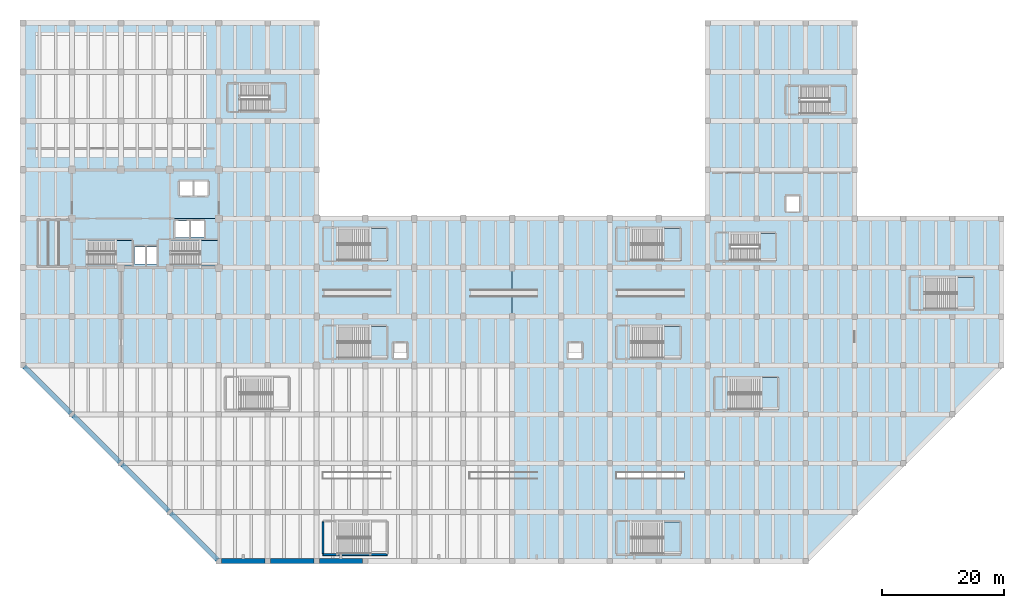
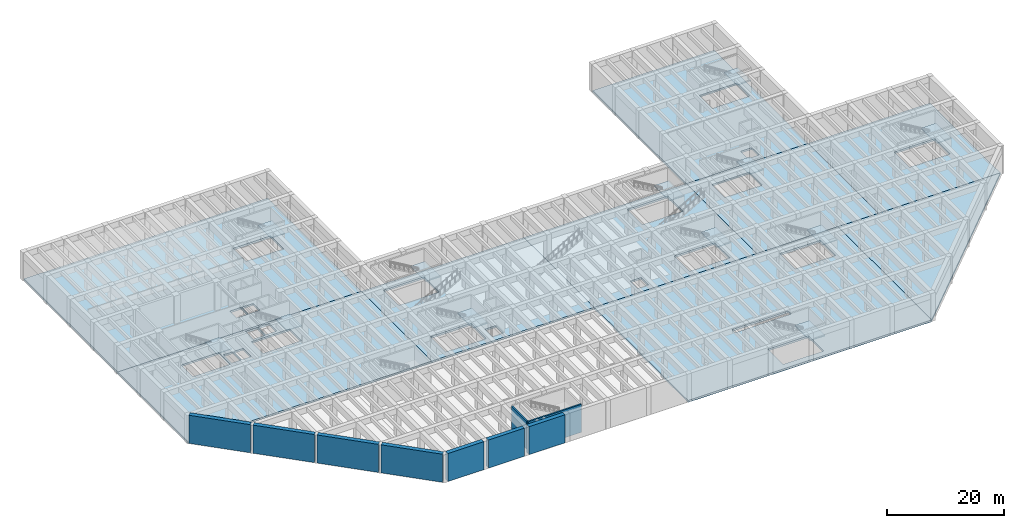
# One storey, part 6 of 24: 21 slabs, 9 walls, 12 elements without a shape of their own.
"""IFC4 building model written with IfcOpenShell, lengths in metres."""

from ifc_helpers import new_model, si_unit, direction, frame, frame_2d, origin, place, context, subcontext, project, spatial, polyline, rectangle, outline, extrude, material, layer, layer_set, type_object, element, aggregate, save


model = new_model("IFC4")

# Units and contexts
model_context = context("Model", 3, precision=1e-05, world=origin(), true_north=direction((0.0, 1.0)))
body_context = subcontext(model_context, "Body", "Model", "MODEL_VIEW")
ifc_project = project(units=[si_unit("LENGTHUNIT", "METRE"), si_unit("AREAUNIT", "SQUARE_METRE"), si_unit("VOLUMEUNIT", "CUBIC_METRE"), si_unit("PLANEANGLEUNIT", "RADIAN"), si_unit("MASSUNIT", "GRAM", prefix="KILO")], contexts=[model_context])

# Site, building, storey
site_placement = place(None, origin())
site = spatial("IfcSite", under=ifc_project, at=site_placement, CompositionType="ELEMENT")
building_placement = place(site_placement, origin())
building = spatial("IfcBuilding", under=site, at=building_placement, Name="Varnela Railside Interchange", CompositionType="ELEMENT")
storey_placement = place(building_placement, frame((0.0, 0.0, -6.300048828125)))
storey = spatial("IfcBuildingStorey", under=building, at=storey_placement, Name="B1", CompositionType="ELEMENT", Elevation=-6.300048828125)

# Stair, slab
ifc_material_1 = material(Name="Concrete C40", Category="concrete")
stair_type_1 = type_object("IfcStairType", Name="Core Pressurized Stair ST-165", PredefinedType="TWO_STRAIGHT_RUN_STAIR", material=ifc_material_1)
stair_1_placement = place(storey_placement, origin())
stair_1 = element("IfcStair", 1, at=stair_1_placement, inside=storey, type_object=stair_type_1, Name="Stair ST-T1 (B1) (SF-076)", PredefinedType="TWO_STRAIGHT_RUN_STAIR")
ifc_layer_1 = layer(ifc_material_1, 0.159912109375)
ifc_layer_set_1 = layer_set([ifc_layer_1], Name="Concrete C40")
slab_type_1 = type_object("IfcSlabType", Name="Stair Half-Landing Slab SL-LD", PredefinedType="LANDING", material=ifc_layer_set_1)
slab_1_placement = place(storey_placement, frame((0.0, 0.0, 2.989990234375)))
slab_1 = element("IfcSlab", 2, at=slab_1_placement, type_object=slab_type_1, Name="ST-T1 landing 1 (SL-0050)", PredefinedType="LANDING", context=body_context, shape_type="SweptSolid", body=[
    extrude(outline(polyline([(19.1298828125, 54.39990234375), (22.06005859375, 54.39990234375), (22.06005859375, 58.39990234375), (19.1298828125, 58.39990234375), (19.1298828125, 54.39990234375)])), origin(), (0.0, 0.0, 1.0), 0.16015625),
])
aggregate(stair_1, [slab_1])

stair_2_placement = place(storey_placement, origin())
stair_2 = element("IfcStair", 3, at=stair_2_placement, inside=storey, type_object=stair_type_1, Name="Stair ST-T2 (B1) (SF-079)", PredefinedType="TWO_STRAIGHT_RUN_STAIR")
slab_2_placement = place(storey_placement, frame((0.0, 0.0, 2.989990234375)))
slab_2 = element("IfcSlab", 4, at=slab_2_placement, type_object=slab_type_1, Name="ST-T2 landing 1 (SL-0051)", PredefinedType="LANDING", context=body_context, shape_type="SweptSolid", body=[
    extrude(outline(polyline([(32.929931640625, 54.39990234375), (35.860107421875, 54.39990234375), (35.860107421875, 58.39990234375), (32.929931640625, 58.39990234375), (32.929931640625, 54.39990234375)])), origin(), (0.0, 0.0, 1.0), 0.16015625),
])
aggregate(stair_2, [slab_2])

stair_type_2 = type_object("IfcStairType", Name="Study Pavilion Stair ST-180", PredefinedType="TWO_STRAIGHT_RUN_STAIR", material=ifc_material_1)
stair_3_placement = place(storey_placement, origin())
stair_3 = element("IfcStair", 5, at=stair_3_placement, inside=storey, type_object=stair_type_2, Name="Stair ST-E1 (B1) (SF-055)", PredefinedType="TWO_STRAIGHT_RUN_STAIR")
slab_3_placement = place(storey_placement, frame((0.0, 0.0, 2.989990234375)))
slab_3 = element("IfcSlab", 6, at=slab_3_placement, type_object=slab_type_1, Name="ST-E1 landing 1 (SL-0043)", PredefinedType="LANDING", context=body_context, shape_type="SweptSolid", body=[
    extrude(outline(polyline([(124.5, 55.199951171875), (127.260009765625, 55.199951171875), (127.260009765625, 59.60009765625), (124.5, 59.60009765625), (124.5, 55.199951171875)])), origin(), (0.0, 0.0, 1.0), 0.16015625),
])
aggregate(stair_3, [slab_3])

stair_4_placement = place(storey_placement, origin())
stair_4 = element("IfcStair", 7, at=stair_4_placement, inside=storey, type_object=stair_type_2, Name="Stair ST-E2 (B1) (SF-058)", PredefinedType="TWO_STRAIGHT_RUN_STAIR")
slab_4_placement = place(storey_placement, frame((0.0, 0.0, 2.989990234375)))
slab_4 = element("IfcSlab", 8, at=slab_4_placement, type_object=slab_type_1, Name="ST-E2 landing 1 (SL-0044)", PredefinedType="LANDING", context=body_context, shape_type="SweptSolid", body=[
    extrude(outline(polyline([(135.89990234375, 79.199951171875), (138.659912109375, 79.199951171875), (138.659912109375, 83.60009765625), (135.89990234375, 83.60009765625), (135.89990234375, 79.199951171875)])), origin(), (0.0, 0.0, 1.0), 0.16015625),
])
aggregate(stair_4, [slab_4])

stair_type_3 = type_object("IfcStairType", Name="Concourse Public Stair ST-235", PredefinedType="TWO_STRAIGHT_RUN_STAIR", material=ifc_material_1)
stair_5_placement = place(storey_placement, origin())
stair_5 = element("IfcStair", 9, at=stair_5_placement, inside=storey, type_object=stair_type_3, Name="Stair ST-E3 (B1) (SF-061)", PredefinedType="TWO_STRAIGHT_RUN_STAIR")
slab_5_placement = place(storey_placement, frame((0.0, 0.0, 2.989990234375)))
slab_5 = element("IfcSlab", 10, at=slab_5_placement, type_object=slab_type_1, Name="ST-E3 landing 1 (SL-0045)", PredefinedType="LANDING", context=body_context, shape_type="SweptSolid", body=[
    extrude(outline(polyline([(156.72509765625, 47.199951171875), (159.659912109375, 47.199951171875), (159.659912109375, 52.39990234375), (156.72509765625, 52.39990234375), (156.72509765625, 47.199951171875)])), origin(), (0.0, 0.0, 1.0), 0.16015625),
])
aggregate(stair_5, [slab_5])

stair_6_placement = place(storey_placement, origin())
stair_6 = element("IfcStair", 11, at=stair_6_placement, inside=storey, type_object=stair_type_3, Name="Stair ST-C1 (B1) (SF-043)", PredefinedType="TWO_STRAIGHT_RUN_STAIR")
slab_6_placement = place(storey_placement, frame((0.0, 0.0, 2.989990234375)))
slab_6 = element("IfcSlab", 12, at=slab_6_placement, type_object=slab_type_1, Name="ST-C1 landing 1 (SL-0039)", PredefinedType="LANDING", context=body_context, shape_type="SweptSolid", body=[
    extrude(outline(polyline([(60.72509765625, 39.199951171875), (63.659912109375, 39.199951171875), (63.659912109375, 44.39990234375), (60.72509765625, 44.39990234375), (60.72509765625, 39.199951171875)])), origin(), (0.0, 0.0, 1.0), 0.16015625),
])
aggregate(stair_6, [slab_6])

stair_7_placement = place(storey_placement, origin())
stair_7 = element("IfcStair", 13, at=stair_7_placement, inside=storey, type_object=stair_type_3, Name="Stair ST-C2 (B1) (SF-046)", PredefinedType="TWO_STRAIGHT_RUN_STAIR")
slab_7_placement = place(storey_placement, frame((0.0, 0.0, 2.989990234375)))
slab_7 = element("IfcSlab", 14, at=slab_7_placement, type_object=slab_type_1, Name="ST-C2 landing 1 (SL-0040)", PredefinedType="LANDING", context=body_context, shape_type="SweptSolid", body=[
    extrude(outline(polyline([(108.72509765625, 39.199951171875), (111.659912109375, 39.199951171875), (111.659912109375, 44.39990234375), (108.72509765625, 44.39990234375), (108.72509765625, 39.199951171875)])), origin(), (0.0, 0.0, 1.0), 0.16015625),
])
aggregate(stair_7, [slab_7])

stair_8_placement = place(storey_placement, origin())
stair_8 = element("IfcStair", 15, at=stair_8_placement, inside=storey, type_object=stair_type_3, Name="Stair ST-C3 (B1) (SF-049)", PredefinedType="TWO_STRAIGHT_RUN_STAIR")
slab_8_placement = place(storey_placement, frame((0.0, 0.0, 2.989990234375)))
slab_8 = element("IfcSlab", 16, at=slab_8_placement, type_object=slab_type_1, Name="ST-C3 landing 1 (SL-0041)", PredefinedType="LANDING", context=body_context, shape_type="SweptSolid", body=[
    extrude(outline(polyline([(60.72509765625, 55.199951171875), (63.659912109375, 55.199951171875), (63.659912109375, 60.39990234375), (60.72509765625, 60.39990234375), (60.72509765625, 55.199951171875)])), origin(), (0.0, 0.0, 1.0), 0.16015625),
])
aggregate(stair_8, [slab_8])

stair_9_placement = place(storey_placement, origin())
stair_9 = element("IfcStair", 17, at=stair_9_placement, inside=storey, type_object=stair_type_3, Name="Stair ST-C4 (B1) (SF-052)", PredefinedType="TWO_STRAIGHT_RUN_STAIR")
slab_9_placement = place(storey_placement, frame((0.0, 0.0, 2.989990234375)))
slab_9 = element("IfcSlab", 18, at=slab_9_placement, type_object=slab_type_1, Name="ST-C4 landing 1 (SL-0042)", PredefinedType="LANDING", context=body_context, shape_type="SweptSolid", body=[
    extrude(outline(polyline([(108.72509765625, 55.199951171875), (111.659912109375, 55.199951171875), (111.659912109375, 60.39990234375), (108.72509765625, 60.39990234375), (108.72509765625, 55.199951171875)])), origin(), (0.0, 0.0, 1.0), 0.16015625),
])
aggregate(stair_9, [slab_9])

stair_10_placement = place(storey_placement, origin())
stair_10 = element("IfcStair", 19, at=stair_10_placement, inside=storey, type_object=stair_type_3, Name="Stair ST-M2 (B1) (SF-067)", PredefinedType="TWO_STRAIGHT_RUN_STAIR")
slab_10_placement = place(storey_placement, frame((0.0, 0.0, 2.989990234375)))
slab_10 = element("IfcSlab", 20, at=slab_10_placement, type_object=slab_type_1, Name="ST-M2 landing 1 (SL-0047)", PredefinedType="LANDING", context=body_context, shape_type="SweptSolid", body=[
    extrude(outline(polyline([(124.72509765625, 30.800048828125), (127.659912109375, 30.800048828125), (127.659912109375, 36.0), (124.72509765625, 36.0), (124.72509765625, 30.800048828125)])), origin(), (0.0, 0.0, 1.0), 0.16015625),
])
aggregate(stair_10, [slab_10])

stair_11_placement = place(storey_placement, origin())
stair_11 = element("IfcStair", 21, at=stair_11_placement, inside=storey, type_object=stair_type_3, Name="Stair ST-M4 (B1) (SF-073)", PredefinedType="TWO_STRAIGHT_RUN_STAIR")
slab_11_placement = place(storey_placement, frame((0.0, 0.0, 2.989990234375)))
slab_11 = element("IfcSlab", 22, at=slab_11_placement, type_object=slab_type_1, Name="ST-M4 landing 1 (SL-0049)", PredefinedType="LANDING", context=body_context, shape_type="SweptSolid", body=[
    extrude(outline(polyline([(108.72509765625, 7.199951171875), (111.659912109375, 7.199951171875), (111.659912109375, 12.39990234375), (108.72509765625, 12.39990234375), (108.72509765625, 7.199951171875)])), origin(), (0.0, 0.0, 1.0), 0.16015625),
])
aggregate(stair_11, [slab_11])

stair_12_placement = place(storey_placement, origin())
stair_12 = element("IfcStair", 23, at=stair_12_placement, inside=storey, type_object=stair_type_2, Name="Stair ST-W1 (B1) (SF-082)", PredefinedType="TWO_STRAIGHT_RUN_STAIR")
slab_12_placement = place(storey_placement, frame((0.0, 0.0, 2.989990234375)))
slab_12 = element("IfcSlab", 24, at=slab_12_placement, type_object=slab_type_1, Name="ST-W1 landing 1 (SL-0052)", PredefinedType="LANDING", context=body_context, shape_type="SweptSolid", body=[
    extrude(outline(polyline([(44.300048828125, 79.60009765625), (47.06005859375, 79.60009765625), (47.06005859375, 84.0), (44.300048828125, 84.0), (44.300048828125, 79.60009765625)])), origin(), (0.0, 0.0, 1.0), 0.16015625),
])
aggregate(stair_12, [slab_12])

# Slabs
ifc_layer_2 = layer(ifc_material_1, 0.39990234375)
ifc_layer_set_2 = layer_set([ifc_layer_2], Name="Concrete C40")
slab_type_2 = type_object("IfcSlabType", Name="Ticket Concourse Slab SL-B1", PredefinedType="FLOOR", material=ifc_layer_set_2)
slab_13_placement = place(storey_placement, frame((0.0, 0.0, -0.39990234375)))
element("IfcSlab", 25, at=slab_13_placement, inside=storey, type_object=slab_type_2, Name="Ticket Concourse Slab SL-B1 (B1) (SL-0035)", PredefinedType="FLOOR", context=body_context, shape_type="SweptSolid", body=[
    extrude(outline(polyline([(84.0, 6.0), (132.0, 6.0), (132.0, 38.0), (84.0, 38.0), (84.0, 6.0)]), holes=[polyline([(119.429931640625, 30.800048828125), (127.39990234375, 30.800048828125), (127.39990234375, 36.0), (119.429931640625, 36.0), (119.429931640625, 30.800048828125)]), polyline([(103.429931640625, 7.199951171875), (111.39990234375, 7.199951171875), (111.39990234375, 12.39990234375), (103.429931640625, 12.39990234375), (103.429931640625, 7.199951171875)]), polyline([(101.050048828125, 19.47998046875), (112.080078125, 19.47998046875), (112.080078125, 20.52001953125), (101.050048828125, 20.52001953125), (101.050048828125, 19.47998046875)])]), origin(), (0.0, 0.0, 1.0), 0.39990234375),
])
slab_14_placement = place(storey_placement, frame((0.0, 0.0, -0.39990234375)))
element("IfcSlab", 26, at=slab_14_placement, inside=storey, type_object=slab_type_2, Name="Ticket Concourse Slab SL-B1 (B1) (SL-0036)", PredefinedType="FLOOR", context=body_context, shape_type="SweptSolid", body=[
    extrude(outline(polyline([(132.0, 6.0), (164.0, 38.0), (132.0, 38.0), (132.0, 6.0)])), origin(), (0.0, 0.0, 1.0), 0.39990234375),
])
slab_15_placement = place(storey_placement, frame((0.0, 0.0, -0.39990234375)))
element("IfcSlab", 27, at=slab_15_placement, inside=storey, type_object=slab_type_2, Name="Ticket Concourse Slab SL-B1 (B1) (SL-0028)", PredefinedType="FLOOR", context=body_context, shape_type="SweptSolid", body=[
    extrude(outline(polyline([(52.0, 38.0), (84.0, 38.0), (84.0, 62.0), (52.0, 62.0), (52.0, 38.0)]), holes=[polyline([(55.429931640625, 39.199951171875), (63.39990234375, 39.199951171875), (63.39990234375, 44.39990234375), (55.429931640625, 44.39990234375), (55.429931640625, 39.199951171875)]), polyline([(55.429931640625, 55.199951171875), (63.39990234375, 55.199951171875), (63.39990234375, 60.39990234375), (55.429931640625, 60.39990234375), (55.429931640625, 55.199951171875)]), polyline([(64.60009765625, 39.199951171875), (66.800048828125, 39.199951171875), (66.800048828125, 41.699951171875), (64.60009765625, 41.699951171875), (64.60009765625, 39.199951171875)])]), origin(), (0.0, 0.0, 1.0), 0.39990234375),
])
slab_16_placement = place(storey_placement, frame((0.0, 0.0, -0.39990234375)))
element("IfcSlab", 28, at=slab_16_placement, inside=storey, type_object=slab_type_2, Name="Ticket Concourse Slab SL-B1 (B1) (SL-0029)", PredefinedType="FLOOR", context=body_context, shape_type="SweptSolid", body=[
    extrude(outline(polyline([(84.0, 38.0), (116.0, 38.0), (116.0, 62.0), (84.0, 62.0), (84.0, 38.0)]), holes=[polyline([(103.429931640625, 39.199951171875), (111.39990234375, 39.199951171875), (111.39990234375, 44.39990234375), (103.429931640625, 44.39990234375), (103.429931640625, 39.199951171875)]), polyline([(103.429931640625, 55.199951171875), (111.39990234375, 55.199951171875), (111.39990234375, 60.39990234375), (103.429931640625, 60.39990234375), (103.429931640625, 55.199951171875)]), polyline([(93.199951171875, 39.199951171875), (95.39990234375, 39.199951171875), (95.39990234375, 41.699951171875), (93.199951171875, 41.699951171875), (93.199951171875, 39.199951171875)])]), origin(), (0.0, 0.0, 1.0), 0.39990234375),
])
slab_17_placement = place(storey_placement, frame((0.0, 0.0, -0.39990234375)))
element("IfcSlab", 29, at=slab_17_placement, inside=storey, type_object=slab_type_2, Name="Ticket Concourse Slab SL-B1 (B1) (SL-0030)", PredefinedType="FLOOR", context=body_context, shape_type="SweptSolid", body=[
    extrude(outline(polyline([(140.0, 38.0), (164.0, 38.0), (164.0, 62.0), (140.0, 62.0), (140.0, 38.0)]), holes=[polyline([(151.429931640625, 47.199951171875), (159.39990234375, 47.199951171875), (159.39990234375, 52.39990234375), (151.429931640625, 52.39990234375), (151.429931640625, 47.199951171875)])]), origin(), (0.0, 0.0, 1.0), 0.39990234375),
])
slab_18_placement = place(storey_placement, frame((0.0, 0.0, -0.39990234375)))
element("IfcSlab", 30, at=slab_18_placement, inside=storey, type_object=slab_type_2, Name="Ticket Concourse Slab SL-B1 (B1) (SL-0031)", PredefinedType="FLOOR", context=body_context, shape_type="SweptSolid", body=[
    extrude(outline(polyline([(116.0, 38.0), (140.0, 38.0), (140.0, 62.0), (116.0, 62.0), (116.0, 38.0)]), holes=[polyline([(119.6298828125, 55.199951171875), (127.0, 55.199951171875), (127.0, 59.60009765625), (119.6298828125, 59.60009765625), (119.6298828125, 55.199951171875)])]), origin(), (0.0, 0.0, 1.0), 0.39990234375),
])
slab_19_placement = place(storey_placement, frame((0.0, 0.0, -0.39990234375)))
element("IfcSlab", 31, at=slab_19_placement, inside=storey, type_object=slab_type_2, Name="Ticket Concourse Slab SL-B1 (B1) (SL-0032)", PredefinedType="FLOOR", context=body_context, shape_type="SweptSolid", body=[
    extrude(outline(polyline([(116.0, 62.0), (140.0, 62.0), (140.0, 94.0), (116.0, 94.0), (116.0, 62.0)]), holes=[polyline([(131.030029296875, 79.199951171875), (138.39990234375, 79.199951171875), (138.39990234375, 83.60009765625), (131.030029296875, 83.60009765625), (131.030029296875, 79.199951171875)]), polyline([(128.800048828125, 63.199951171875), (131.0, 63.199951171875), (131.0, 65.699951171875), (128.800048828125, 65.699951171875), (128.800048828125, 63.199951171875)])]), origin(), (0.0, 0.0, 1.0), 0.39990234375),
])
slab_20_placement = place(storey_placement, frame((0.0, 0.0, -0.39990234375)))
element("IfcSlab", 32, at=slab_20_placement, inside=storey, type_object=slab_type_2, Name="Ticket Concourse Slab SL-B1 (B1) (SL-0037)", PredefinedType="FLOOR", context=body_context, shape_type="SweptSolid", body=[
    extrude(outline(polyline([(4.0, 38.0), (52.0, 38.0), (52.0, 62.0), (4.0, 62.0), (4.0, 38.0)]), holes=[polyline([(14.429931640625, 54.39990234375), (21.800048828125, 54.39990234375), (21.800048828125, 58.39990234375), (14.429931640625, 58.39990234375), (14.429931640625, 54.39990234375)]), polyline([(28.22998046875, 54.39990234375), (35.800048828125, 54.39990234375), (35.800048828125, 58.39990234375), (28.22998046875, 58.39990234375), (28.22998046875, 54.39990234375)]), polyline([(22.199951171875, 54.60009765625), (24.0, 54.60009765625), (24.0, 57.39990234375), (22.199951171875, 57.39990234375), (22.199951171875, 54.60009765625)]), polyline([(24.199951171875, 54.60009765625), (26.0, 54.60009765625), (26.0, 57.39990234375), (24.199951171875, 57.39990234375), (24.199951171875, 54.60009765625)]), polyline([(31.39990234375, 59.0), (33.60009765625, 59.0), (33.60009765625, 61.60009765625), (31.39990234375, 61.60009765625), (31.39990234375, 59.0)]), polyline([(28.89990234375, 58.89990234375), (31.199951171875, 58.89990234375), (31.199951171875, 61.60009765625), (28.89990234375, 61.60009765625), (28.89990234375, 58.89990234375)])]), origin(), (0.0, 0.0, 1.0), 0.39990234375),
])
slab_21_placement = place(storey_placement, frame((0.0, 0.0, -0.39990234375)))
element("IfcSlab", 33, at=slab_21_placement, inside=storey, type_object=slab_type_2, Name="Ticket Concourse Slab SL-B1 (B1) (SL-0038)", PredefinedType="FLOOR", context=body_context, shape_type="SweptSolid", body=[
    extrude(outline(polyline([(4.0, 62.0), (52.0, 62.0), (52.0, 94.0), (4.0, 94.0), (4.0, 62.0)]), holes=[polyline([(39.429931640625, 79.60009765625), (46.800048828125, 79.60009765625), (46.800048828125, 84.0), (39.429931640625, 84.0), (39.429931640625, 79.60009765625)]), polyline([(29.60009765625, 65.800048828125), (31.800048828125, 65.800048828125), (31.800048828125, 68.10009765625), (29.60009765625, 68.10009765625), (29.60009765625, 65.800048828125)]), polyline([(32.0, 65.800048828125), (34.199951171875, 65.800048828125), (34.199951171875, 68.10009765625), (32.0, 68.10009765625), (32.0, 65.800048828125)])]), origin(), (0.0, 0.0, 1.0), 0.39990234375),
])

# Walls
ifc_material_2 = material(Name="Concrete C50", Category="concrete")
ifc_layer_3 = layer(ifc_material_2, 0.300048828125)
ifc_layer_set_3 = layer_set([ifc_layer_3], Name="Concrete C50")
wall_type_1 = type_object("IfcWallType", Name="Stair & Lift Shaft Wall SW-03", PredefinedType="SHEAR", material=ifc_layer_set_3)
wall_1_placement = place(storey_placement, frame((53.050048828125, 7.050048828125, 0.0), z_axis=(0.0, 0.0, 1.0), x_axis=(1.0, 0.0, 0.0)))
element("IfcWall", 34, at=wall_1_placement, inside=storey, type_object=wall_type_1, Name="Stair & Lift Shaft Wall SW-03 (B1) (WL-0300)", PredefinedType="SHEAR", context=body_context, shape_type="SweptSolid", body=[
    extrude(rectangle(XDim=10.5, YDim=0.300048828125, at=frame_2d((5.25, 0.0))), origin(), (0.0, 0.0, 1.0), 5.85009765625),
])
wall_2_placement = place(storey_placement, frame((53.050048828125, 7.199951171875, 0.0), z_axis=(0.0, 0.0, 1.0), x_axis=(0.0, 1.0, 0.0)))
element("IfcWall", 35, at=wall_2_placement, inside=storey, type_object=wall_type_1, Name="Stair & Lift Shaft Wall SW-03 (B1) (WL-0301)", PredefinedType="SHEAR", context=body_context, shape_type="SweptSolid", body=[
    extrude(rectangle(XDim=5.199951171875, YDim=0.300048828125, at=frame_2d((2.60009765625, 0.0))), origin(), (0.0, 0.0, 1.0), 5.85009765625),
])
ifc_layer_4 = layer(ifc_material_1, 0.800048828125)
ifc_layer_set_4 = layer_set([ifc_layer_4], Name="Concrete C40")
wall_type_2 = type_object("IfcWallType", Name="Station Box Retaining Wall DW-02", PredefinedType="USERDEFINED", material=ifc_layer_set_4)
for number, where, z_axis, x_axis, name in (
    (36, (36.449951171875, 6.0, 0.0), (0.0, 0.0, 1.0), (1.0, 0.0, 0.0), "Station Box Retaining Wall DW-02 (B1) (WL-0216)"),
    (37, (44.449951171875, 6.0, 0.0), (0.0, 0.0, 1.0), (1.0, 0.0, 0.0), "Station Box Retaining Wall DW-02 (B1) (WL-0217)"),
    (38, (52.449951171875, 6.0, 0.0), (0.0, 0.0, 1.0), (1.0, 0.0, 0.0), "Station Box Retaining Wall DW-02 (B1) (WL-0220)"),
):
    element("IfcWall", number, at=place(storey_placement, frame(where, z_axis=z_axis, x_axis=x_axis)), inside=storey, type_object=wall_type_2, Name=name, ObjectType="RETAININGWALL", PredefinedType="USERDEFINED", context=body_context, shape_type="SweptSolid", body=[
        extrude(rectangle(XDim=7.10009765625, YDim=0.800048828125, at=frame_2d((3.550048828125, 0.0))), origin(), (0.0, 0.0, 1.0), 5.85009765625),
    ])
for number, where, z_axis, x_axis, name in (
    (39, (4.167236328125, 37.832763671875, 0.0), (0.0, 0.0, 1.0), (0.707106781187, -0.707106781187, 0.0), "Station Box Retaining Wall DW-02 (B1) (WL-0212)"),
    (40, (12.167236328125, 29.832763671875, 0.0), (0.0, 0.0, 1.0), (0.707106781187, -0.707106781187, 0.0), "Station Box Retaining Wall DW-02 (B1) (WL-0213)"),
    (41, (20.167236328125, 21.832763671875, 0.0), (0.0, 0.0, 1.0), (0.707106781187, -0.707106781187, 0.0), "Station Box Retaining Wall DW-02 (B1) (WL-0214)"),
    (42, (28.167236328125, 13.832763671875, 0.0), (0.0, 0.0, 1.0), (0.707106781187, -0.707106781187, 0.0), "Station Box Retaining Wall DW-02 (B1) (WL-0215)"),
):
    element("IfcWall", number, at=place(storey_placement, frame(where, z_axis=z_axis, x_axis=x_axis)), inside=storey, type_object=wall_type_2, Name=name, ObjectType="RETAININGWALL", PredefinedType="USERDEFINED", context=body_context, shape_type="SweptSolid", body=[
        extrude(rectangle(XDim=10.840576171875, YDim=0.800048828125, at=frame_2d((5.42041015625, 0.0))), origin(), (0.0, 0.0, 1.0), 5.85009765625),
    ])

save(model, "model.ifc")
